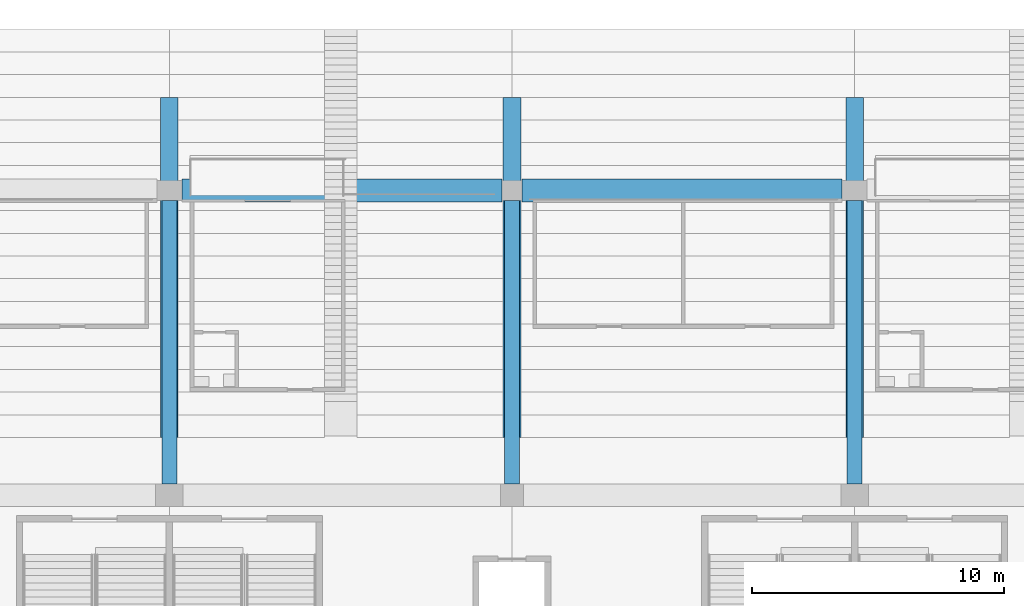
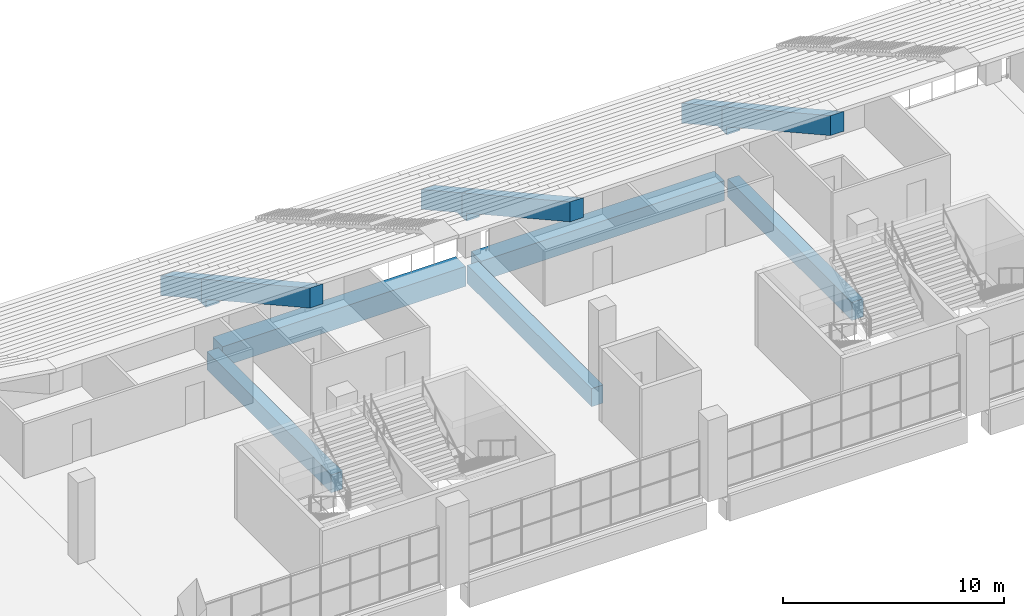
# One storey, part 14 of 249: 11 beams.
"""IFC4 building model written with IfcOpenShell, lengths in metres."""

from ifc_helpers import new_model, si_unit, direction, frame, origin, origin_2d, place, context, subcontext, project, spatial, polyline, rectangle, outline, extrude, material, material_profile, profile_set, type_object, element, save


model = new_model("IFC4")

# Units and contexts
model_context = context("Model", 3, precision=1e-05, world=origin(), true_north=direction((0.0, 1.0)))
body_context = subcontext(model_context, "Body", "Model", "MODEL_VIEW")
ifc_project = project(units=[si_unit("LENGTHUNIT", "METRE"), si_unit("AREAUNIT", "SQUARE_METRE"), si_unit("VOLUMEUNIT", "CUBIC_METRE"), si_unit("PLANEANGLEUNIT", "RADIAN"), si_unit("MASSUNIT", "GRAM", prefix="KILO")], contexts=[model_context])

# Site, building, storey
site_placement = place(None, origin())
site = spatial("IfcSite", under=ifc_project, at=site_placement, CompositionType="ELEMENT")
building_placement = place(site_placement, origin())
building = spatial("IfcBuilding", under=site, at=building_placement, Name="Ogive Plaza Stadium", CompositionType="ELEMENT")
storey_placement = place(building_placement, frame((0.0, 0.0, 13.5)))
storey = spatial("IfcBuildingStorey", under=building, at=storey_placement, Name="L03", CompositionType="ELEMENT", Elevation=13.5)

# Beams
ifc_material_1 = material(Name="Concrete C45/55 precast", Category="concrete")
ifc_material_profile_1 = material_profile(ifc_material_1, rectangle(XDim=0.699951171875, YDim=1.10009765625, at=origin_2d()), Name="RC 700x1100")
ifc_profile_set_1 = profile_set([ifc_material_profile_1], Name="Concrete C45/55 precast")
beam_type_1 = type_object("IfcBeamType", Name="Precast raker UT back-span 700x1100", PredefinedType="USERDEFINED", material=ifc_profile_set_1)
for number, where, z_axis, x_axis, name in (
    (1, (6.800048828125, -52.5, -13.5), (0.0, 0.0, 1.0), (0.0, -1.0, 0.0), "RAKER UT BACK-SPAN R14"),
    (2, (-6.800048828125, -52.5, -13.5), (0.0, 0.0, 1.0), (0.0, -1.0, 0.0), "RAKER UT BACK-SPAN R15"),
    (3, (-20.39990234375, -52.5, -13.5), (0.0, 0.0, 1.0), (0.0, -1.0, 0.0), "RAKER UT BACK-SPAN R16"),
):
    element("IfcBeam", number, at=place(storey_placement, frame(where, z_axis=z_axis, x_axis=x_axis)), inside=storey, type_object=beam_type_1, Name=name, ObjectType="RAKER", PredefinedType="USERDEFINED", context=body_context, shape_type="SweptSolid", body=[
        extrude(outline(polyline([(27.89990234375, 15.533203125), (28.300048828125, 15.533203125), (28.300048828125, 15.977783203125), (37.699951171875, 21.199951171875), (37.699951171875, 22.300048828125), (27.89990234375, 16.855712890625), (27.89990234375, 15.533203125)])), frame((0.0, 0.35009765625, 0.0), z_axis=(0.0, -1.0, 0.0), x_axis=(1.0, 0.0, 0.0)), (0.0, 0.0, 1.0), 0.699951171875),
    ])
ifc_material_2 = material(Name="Concrete C45/55 precast", Category="concrete")
ifc_material_profile_2 = material_profile(ifc_material_2, rectangle(XDim=0.699951171875, YDim=1.10009765625, at=origin_2d()), Name="RC 700x1100")
ifc_profile_set_2 = profile_set([ifc_material_profile_2], Name="Concrete C45/55 precast")
beam_type_2 = type_object("IfcBeamType", Name="Precast raker UT cantilever 700x1100", PredefinedType="USERDEFINED", material=ifc_profile_set_2)
for number, where, z_axis, x_axis, name in (
    (4, (6.800048828125, -52.5, -13.5), (0.0, 0.0, 1.0), (0.0, -1.0, 0.0), "RAKER UT CANTILEVER R14"),
    (5, (-6.800048828125, -52.5, -13.5), (0.0, 0.0, 1.0), (0.0, -1.0, 0.0), "RAKER UT CANTILEVER R15"),
    (6, (-20.39990234375, -52.5, -13.5), (0.0, 0.0, 1.0), (0.0, -1.0, 0.0), "RAKER UT CANTILEVER R16"),
):
    element("IfcBeam", number, at=place(storey_placement, frame(where, z_axis=z_axis, x_axis=x_axis)), inside=storey, type_object=beam_type_2, Name=name, ObjectType="RAKER", PredefinedType="USERDEFINED", context=body_context, shape_type="SweptSolid", body=[
        extrude(outline(polyline([(24.199951171875, 13.699951171875), (27.5, 15.533203125), (27.89990234375, 15.533203125), (27.89990234375, 16.855712890625), (24.199951171875, 14.800048828125), (24.199951171875, 13.699951171875)])), frame((0.0, 0.35009765625, 0.0), z_axis=(0.0, -1.0, 0.0), x_axis=(1.0, 0.0, 0.0)), (0.0, 0.0, 1.0), 0.699951171875),
    ])
ifc_material_3 = material(Name="Concrete C40/50", Category="concrete")
ifc_material_profile_3 = material_profile(ifc_material_3, rectangle(XDim=0.60009765625, YDim=1.0, at=origin_2d()), Name="RC 600x1000")
ifc_profile_set_3 = profile_set([ifc_material_profile_3], Name="Concrete C40/50")
beam_type_3 = type_object("IfcBeamType", Name="RC radial beam 600x1000", PredefinedType="BEAM", material=ifc_profile_set_3)
for number, where, z_axis, x_axis, name in (
    (7, (6.800048828125, -80.800048828125, -0.909912109375), (0.0, -1.0, 0.0), (1.0, 0.0, 0.0), "Radial beam L03 R14 F3F4"),
    (8, (-6.800048828125, -80.800048828125, -0.909912109375), (0.0, -1.0, 0.0), (1.0, 0.0, 0.0), "Radial beam L03 R15 F3F4"),
    (9, (-20.39990234375, -80.800048828125, -0.909912109375), (0.0, -1.0, 0.0), (1.0, 0.0, 0.0), "Radial beam L03 R16 F3F4"),
):
    element("IfcBeam", number, at=place(storey_placement, frame(where, z_axis=z_axis, x_axis=x_axis)), inside=storey, type_object=beam_type_3, Name=name, PredefinedType="BEAM", context=body_context, shape_type="SweptSolid", body=[
        extrude(rectangle(XDim=0.60009765625, YDim=1.0, at=origin_2d()), origin(), (0.0, 0.0, 1.0), 11.25),
    ])
ifc_material_4 = material(Name="Concrete C40/50", Category="concrete")
ifc_material_profile_4 = material_profile(ifc_material_4, rectangle(XDim=0.89990234375, YDim=1.10009765625, at=origin_2d()), Name="RC 900x1100")
ifc_profile_set_4 = profile_set([ifc_material_profile_4], Name="Concrete C40/50")
beam_type_4 = type_object("IfcBeamType", Name="RC ring beam 900x1100", PredefinedType="BEAM", material=ifc_profile_set_4)
for number, where, z_axis, x_axis, name in (
    (10, (6.300048828125, -80.39990234375, -0.9599609375), (-1.0, 0.0, 0.0), (0.0, -1.0, 0.0), "Ring beam F3 L03 B14"),
    (11, (-7.199951171875, -80.39990234375, -0.9599609375), (-1.0, 0.0, 0.0), (0.0, -1.0, 0.0), "Ring beam F3 L03 B15"),
):
    element("IfcBeam", number, at=place(storey_placement, frame(where, z_axis=z_axis, x_axis=x_axis)), inside=storey, type_object=beam_type_4, Name=name, PredefinedType="BEAM", context=body_context, shape_type="SweptSolid", body=[
        extrude(rectangle(XDim=0.89990234375, YDim=1.10009765625, at=origin_2d()), origin(), (0.0, 0.0, 1.0), 12.699951171875),
    ])

save(model, "model.ifc")
